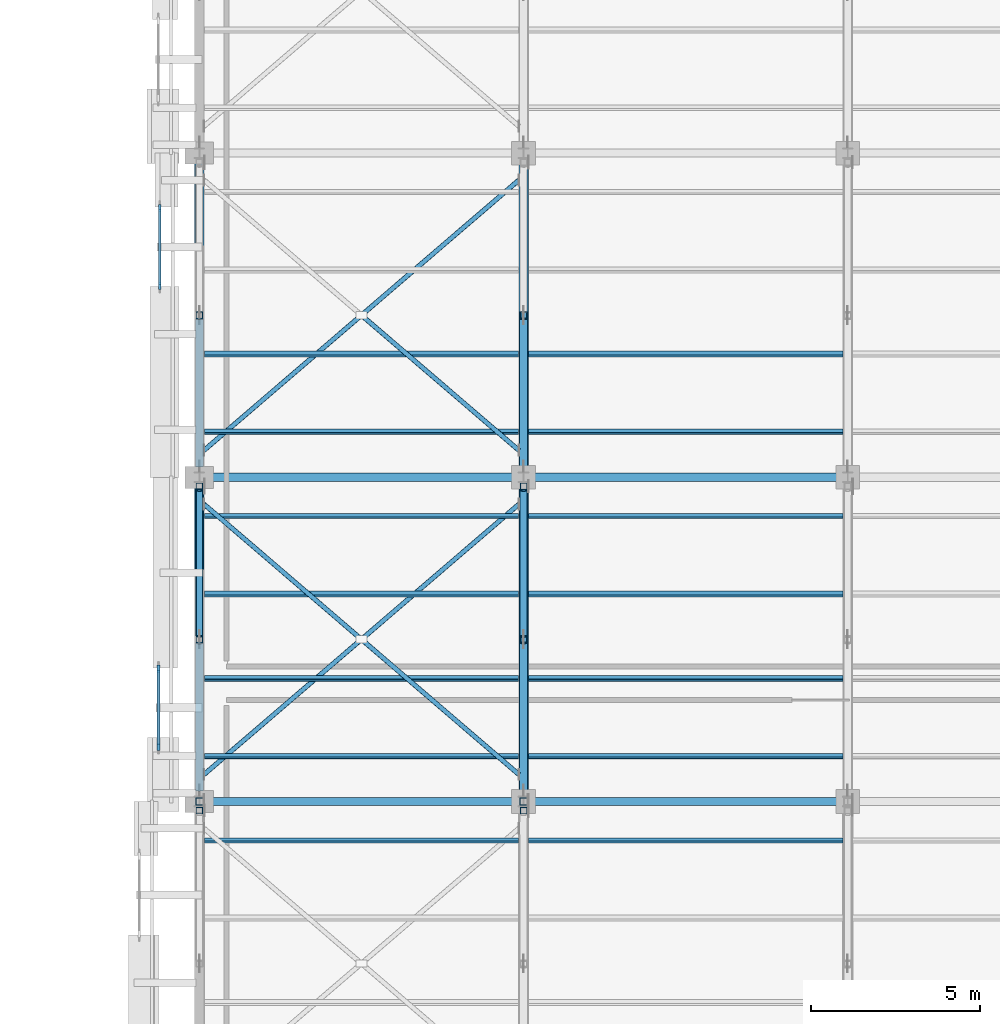
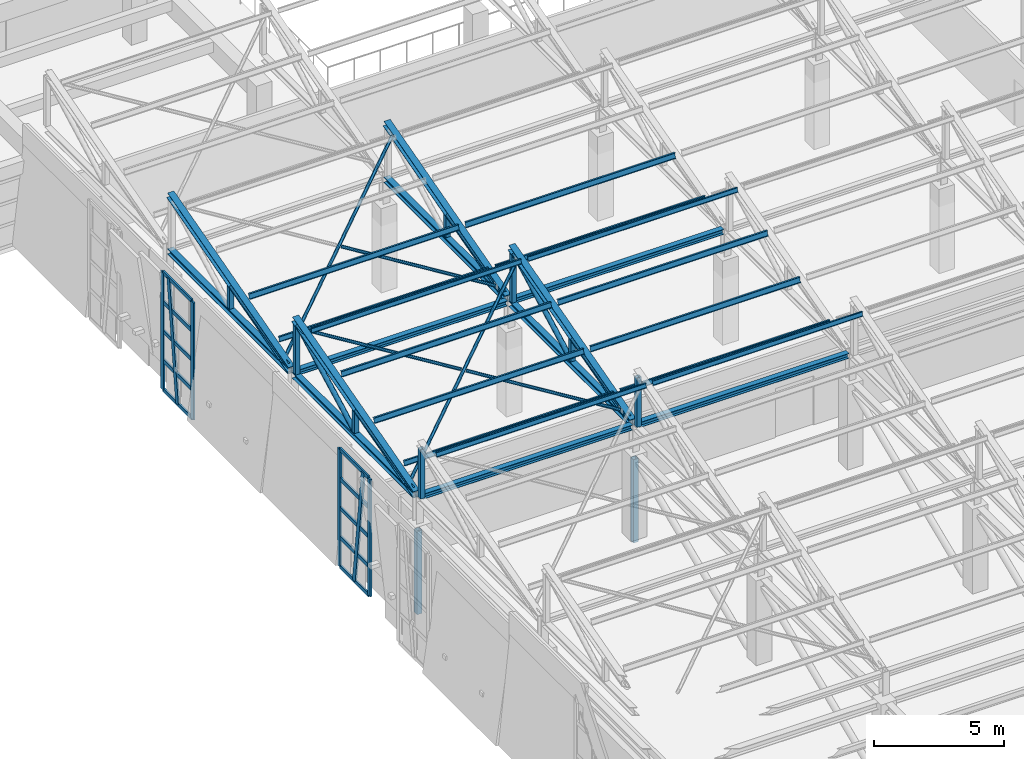
# One storey, part 12 of 71: 59 members, 4 beams, 2 elements without a shape of their own.
"""IFC4 building model written with IfcOpenShell, lengths in metres."""

from ifc_helpers import new_model, si_unit, direction, frame, origin, origin_2d, place, context, subcontext, project, spatial, rectangle, hollow_rectangle, hollow_circle, i_section, extrude, material, layer, layer_set, material_profile, profile_set, type_object, element, aggregate, save


model = new_model("IFC4")

# Units and contexts
model_context = context("Model", 3, precision=1e-05, world=origin(), true_north=direction((0.0, 1.0)))
body_context = subcontext(model_context, "Body", "Model", "MODEL_VIEW")
ifc_project = project(units=[si_unit("LENGTHUNIT", "METRE"), si_unit("AREAUNIT", "SQUARE_METRE"), si_unit("VOLUMEUNIT", "CUBIC_METRE"), si_unit("PLANEANGLEUNIT", "RADIAN"), si_unit("MASSUNIT", "GRAM", prefix="KILO")], contexts=[model_context])

# Site, building, storey
site_placement = place(None, origin())
site = spatial("IfcSite", under=ifc_project, at=site_placement, CompositionType="ELEMENT")
building_placement = place(site_placement, origin())
building = spatial("IfcBuilding", under=site, at=building_placement, Name="Bempovik Park Faculty of Sciences", CompositionType="ELEMENT")
storey_placement = place(building_placement, frame((0.0, 0.0, 14.10009765625)))
storey = spatial("IfcBuildingStorey", under=building, at=storey_placement, Name="L03", CompositionType="ELEMENT", Elevation=14.10009765625)

# Beams
ifc_material_1 = material(Name="Steel S355", Category="steel")
ifc_material_profile_1 = material_profile(ifc_material_1, i_section(OverallWidth=0.239990234375, OverallDepth=0.239990234375, WebThickness=0.010009765625, FlangeThickness=0.01708984375, at=origin_2d()), Name="HEB 240")
ifc_profile_set_1 = profile_set([ifc_material_profile_1], Name="Steel S355")
beam_type = type_object("IfcBeamType", Name="B-042 HEB 240", PredefinedType="BEAM", material=ifc_profile_set_1)
for number, where, z_axis, x_axis, name in (
    (1, (60.14990234375, 39.0, 5.14990234375), (1.0, 0.0, 0.0), (0.0, 1.0, 0.0), "Sawtooth Valley Tie Beam V1-B3 (60.0-69.6)"),
    (2, (69.75, 39.0, 5.14990234375), (1.0, 0.0, 0.0), (0.0, 1.0, 0.0), "Sawtooth Valley Tie Beam V1-B3 (69.6-79.2)"),
    (3, (60.14990234375, 48.60009765625, 5.14990234375), (1.0, 0.0, 0.0), (0.0, 1.0, 0.0), "Sawtooth Valley Tie Beam V1-B4 (60.0-69.6)"),
    (4, (69.75, 48.60009765625, 5.14990234375), (1.0, 0.0, 0.0), (0.0, 1.0, 0.0), "Sawtooth Valley Tie Beam V1-B4 (69.6-79.2)"),
):
    element("IfcBeam", number, at=place(storey_placement, frame(where, z_axis=z_axis, x_axis=x_axis)), inside=storey, type_object=beam_type, Name=name, PredefinedType="BEAM", context=body_context, shape_type="SweptSolid", body=[
        extrude(i_section(OverallWidth=0.239990234375, OverallDepth=0.239990234375, WebThickness=0.010009765625, FlangeThickness=0.01708984375, at=origin_2d()), origin(), (0.0, 0.0, 1.0), 9.300048828125),
    ])

# Members
ifc_material_profile_2 = material_profile(ifc_material_1, i_section(OverallWidth=0.110107421875, OverallDepth=0.219970703125, WebThickness=0.005859375, FlangeThickness=0.00927734375, at=origin_2d()), Name="IPE 220")
ifc_profile_set_2 = profile_set([ifc_material_profile_2], Name="Steel S355")
member_type_1 = type_object("IfcMemberType", Name="M-18 IPE 220", PredefinedType="PURLIN", material=ifc_profile_set_2)
member_1_placement = place(storey_placement, frame((60.14599609375, 40.343994140625, 5.847412109375), z_axis=(1.0, 0.0, 0.0), x_axis=(0.0, 0.965925826289, -0.258819045103)))
element("IfcMember", 5, at=member_1_placement, inside=storey, type_object=member_type_1, Name="Sawtooth Roof Purlin V1-B3 (60.0-69.6) #1", PredefinedType="PURLIN", context=body_context, shape_type="SweptSolid", body=[
    extrude(i_section(OverallWidth=0.110107421875, OverallDepth=0.219970703125, WebThickness=0.005859375, FlangeThickness=0.00927734375, at=origin_2d()), origin(), (0.0, 0.0, 1.0), 9.30810546875),
])
member_2_placement = place(storey_placement, frame((69.74609375, 40.343994140625, 5.847412109375), z_axis=(1.0, 0.0, 0.0), x_axis=(0.0, 0.965925826289, -0.258819045103)))
element("IfcMember", 6, at=member_2_placement, inside=storey, type_object=member_type_1, Name="Sawtooth Roof Purlin V1-B3 (69.6-79.2) #1", PredefinedType="PURLIN", context=body_context, shape_type="SweptSolid", body=[
    extrude(i_section(OverallWidth=0.110107421875, OverallDepth=0.219970703125, WebThickness=0.005859375, FlangeThickness=0.00927734375, at=origin_2d()), origin(), (0.0, 0.0, 1.0), 9.307861328125),
])
member_3_placement = place(storey_placement, frame((60.14599609375, 49.944091796875, 5.847412109375), z_axis=(1.0, 0.0, 0.0), x_axis=(0.0, 0.965925826289, -0.258819045103)))
element("IfcMember", 7, at=member_3_placement, inside=storey, type_object=member_type_1, Name="Sawtooth Roof Purlin V1-B4 (60.0-69.6) #1", PredefinedType="PURLIN", context=body_context, shape_type="SweptSolid", body=[
    extrude(i_section(OverallWidth=0.110107421875, OverallDepth=0.219970703125, WebThickness=0.005859375, FlangeThickness=0.00927734375, at=origin_2d()), origin(), (0.0, 0.0, 1.0), 9.30810546875),
])
member_4_placement = place(storey_placement, frame((69.74609375, 49.944091796875, 5.847412109375), z_axis=(1.0, 0.0, 0.0), x_axis=(0.0, 0.965925826289, -0.258819045103)))
element("IfcMember", 8, at=member_4_placement, inside=storey, type_object=member_type_1, Name="Sawtooth Roof Purlin V1-B4 (69.6-79.2) #1", PredefinedType="PURLIN", context=body_context, shape_type="SweptSolid", body=[
    extrude(i_section(OverallWidth=0.110107421875, OverallDepth=0.219970703125, WebThickness=0.005859375, FlangeThickness=0.00927734375, at=origin_2d()), origin(), (0.0, 0.0, 1.0), 9.307861328125),
])
ifc_material_profile_3 = material_profile(ifc_material_1, hollow_circle(Radius=0.109619140625, WallThickness=0.010009765625, at=origin_2d()), Name="CHS 219.1x10")
ifc_profile_set_3 = profile_set([ifc_material_profile_3], Name="Steel S355")
member_type_2 = type_object("IfcMemberType", Name="M-22 CHS 219.1x10", PredefinedType="BRACE", material=ifc_profile_set_3)
for number, where, z_axis, x_axis, name in (
    (9, (60.0, 43.905029296875, 5.285888671875), (0.0, 0.882187464719, 0.470898372361), (-1.0, 0.0, 0.0), "Sawtooth Web Diagonal 2 V1-B3 (60.0)"),
    (10, (69.60009765625, 43.905029296875, 5.285888671875), (0.0, 0.882187464719, 0.470898372361), (-1.0, 0.0, 0.0), "Sawtooth Web Diagonal 2 V1-B3 (69.6)"),
):
    element("IfcMember", number, at=place(storey_placement, frame(where, z_axis=z_axis, x_axis=x_axis)), inside=storey, type_object=member_type_2, Name=name, PredefinedType="BRACE", context=body_context, shape_type="SweptSolid", body=[
        extrude(hollow_circle(Radius=0.109619140625, WallThickness=0.010009765625, at=origin_2d()), origin(), (0.0, 0.0, 1.0), 4.902587890625),
    ])
ifc_material_profile_4 = material_profile(ifc_material_1, i_section(OverallWidth=0.280029296875, OverallDepth=0.280029296875, WebThickness=0.010498046875, FlangeThickness=0.01806640625, at=origin_2d()), Name="HEB 280")
ifc_profile_set_4 = profile_set([ifc_material_profile_4], Name="Steel S355")
member_type_3 = type_object("IfcMemberType", Name="M-26 HEB 280", PredefinedType="CHORD", material=ifc_profile_set_4)
for number, where, z_axis, x_axis, name in (
    (11, (60.0, 39.156005859375, 5.212158203125), (0.0, 0.963725210394, 0.266896457173), (-1.0, 0.0, 0.0), "Sawtooth Top Rafter Chord V1-B3 (60.0)"),
    (12, (69.60009765625, 39.156005859375, 5.212158203125), (0.0, 0.963725210394, 0.266896457173), (-1.0, 0.0, 0.0), "Sawtooth Top Rafter Chord V1-B3 (69.6)"),
):
    element("IfcMember", number, at=place(storey_placement, frame(where, z_axis=z_axis, x_axis=x_axis)), inside=storey, type_object=member_type_3, Name=name, PredefinedType="CHORD", context=body_context, shape_type="SweptSolid", body=[
        extrude(i_section(OverallWidth=0.280029296875, OverallDepth=0.280029296875, WebThickness=0.010498046875, FlangeThickness=0.01806640625, at=origin_2d()), origin(), (0.0, 0.0, 1.0), 9.6376953125),
    ])
for number, where, z_axis, x_axis, name in (
    (13, (60.0, 48.756103515625, 5.212158203125), (0.0, 0.963723405845, 0.266902973056), (-1.0, 0.0, 0.0), "Sawtooth Top Rafter Chord V1-B4 (60.0)"),
    (14, (69.60009765625, 48.756103515625, 5.212158203125), (0.0, 0.963723405845, 0.266902973056), (-1.0, 0.0, 0.0), "Sawtooth Top Rafter Chord V1-B4 (69.6)"),
):
    element("IfcMember", number, at=place(storey_placement, frame(where, z_axis=z_axis, x_axis=x_axis)), inside=storey, type_object=member_type_3, Name=name, PredefinedType="CHORD", context=body_context, shape_type="SweptSolid", body=[
        extrude(i_section(OverallWidth=0.280029296875, OverallDepth=0.280029296875, WebThickness=0.010498046875, FlangeThickness=0.01806640625, at=origin_2d()), origin(), (0.0, 0.0, 1.0), 9.637451171875),
    ])
ifc_material_profile_5 = material_profile(ifc_material_1, hollow_rectangle(XDim=0.219970703125, YDim=0.219970703125, WallThickness=0.010009765625, at=origin_2d()), Name="SHS 220x220x10")
ifc_profile_set_5 = profile_set([ifc_material_profile_5], Name="Steel S355")
member_type_4 = type_object("IfcMemberType", Name="M-32 SHS 220x220x10", PredefinedType="POST", material=ifc_profile_set_5)
for number, where, z_axis, x_axis, name in (
    (15, (60.0, 39.0, -0.294189453125), (0.0, 0.0, 1.0), (1.0, 0.0, 0.0), "Cantilever Truss 1 L03 Post 5"),
    (16, (69.60009765625, 39.0, -0.294189453125), (0.0, 0.0, 1.0), (1.0, 0.0, 0.0), "Cantilever Truss 2 L03 Post 5"),
):
    element("IfcMember", number, at=place(storey_placement, frame(where, z_axis=z_axis, x_axis=x_axis)), inside=storey, type_object=member_type_4, Name=name, PredefinedType="POST", context=body_context, shape_type="SweptSolid", body=[
        extrude(hollow_rectangle(XDim=0.219970703125, YDim=0.219970703125, WallThickness=0.010009765625, at=origin_2d()), origin(), (0.0, 0.0, 1.0), 3.908203125),
    ])
ifc_material_profile_6 = material_profile(ifc_material_1, hollow_rectangle(XDim=0.199951171875, YDim=0.199951171875, WallThickness=0.010009765625, at=origin_2d()), Name="SHS 200x200x10")
ifc_profile_set_6 = profile_set([ifc_material_profile_6], Name="Steel S355")
member_type_5 = type_object("IfcMemberType", Name="M-44 SHS 200x200x10", PredefinedType="POST", material=ifc_profile_set_6)
for number, where, z_axis, x_axis, name in (
    (17, (60.0, 38.72998046875, 5.285888671875), (0.0, 0.0, 1.0), (1.0, 0.0, 0.0), "Sawtooth North-Light Post V1-B2 (60.0)"),
    (18, (69.60009765625, 38.72998046875, 5.285888671875), (0.0, 0.0, 1.0), (1.0, 0.0, 0.0), "Sawtooth North-Light Post V1-B2 (69.6)"),
    (19, (60.0, 48.330078125, 5.285888671875), (0.0, 0.0, 1.0), (1.0, 0.0, 0.0), "Sawtooth North-Light Post V1-B3 (60.0)"),
):
    element("IfcMember", number, at=place(storey_placement, frame(where, z_axis=z_axis, x_axis=x_axis)), inside=storey, type_object=member_type_5, Name=name, PredefinedType="POST", context=body_context, shape_type="SweptSolid", body=[
        extrude(hollow_rectangle(XDim=0.199951171875, YDim=0.199951171875, WallThickness=0.010009765625, at=origin_2d()), origin(), (0.0, 0.0, 1.0), 2.30859375),
    ])
member_5_placement = place(storey_placement, frame((60.0, 43.800048828125, 5.285888671875), z_axis=(0.0, 0.0, 1.0), x_axis=(1.0, 0.0, 0.0)))
element("IfcMember", 20, at=member_5_placement, inside=storey, type_object=member_type_5, Name="Sawtooth Mid Post V1-B3 (60.0)", PredefinedType="POST", context=body_context, shape_type="SweptSolid", body=[
    extrude(hollow_rectangle(XDim=0.199951171875, YDim=0.199951171875, WallThickness=0.010009765625, at=origin_2d()), origin(), (0.0, 0.0, 1.0), 1.052490234375),
])
member_6_placement = place(storey_placement, frame((69.60009765625, 48.330078125, 5.285888671875), z_axis=(0.0, 0.0, 1.0), x_axis=(1.0, 0.0, 0.0)))
element("IfcMember", 21, at=member_6_placement, inside=storey, type_object=member_type_5, Name="Sawtooth North-Light Post V1-B3 (69.6)", PredefinedType="POST", context=body_context, shape_type="SweptSolid", body=[
    extrude(hollow_rectangle(XDim=0.199951171875, YDim=0.199951171875, WallThickness=0.010009765625, at=origin_2d()), origin(), (0.0, 0.0, 1.0), 2.30859375),
])
for number, where, z_axis, x_axis, name in (
    (22, (69.60009765625, 43.800048828125, 5.285888671875), (0.0, 0.0, 1.0), (1.0, 0.0, 0.0), "Sawtooth Mid Post V1-B3 (69.6)"),
    (23, (60.0, 53.39990234375, 5.285888671875), (0.0, 0.0, 1.0), (1.0, 0.0, 0.0), "Sawtooth Mid Post V1-B4 (60.0)"),
    (24, (69.60009765625, 53.39990234375, 5.285888671875), (0.0, 0.0, 1.0), (1.0, 0.0, 0.0), "Sawtooth Mid Post V1-B4 (69.6)"),
):
    element("IfcMember", number, at=place(storey_placement, frame(where, z_axis=z_axis, x_axis=x_axis)), inside=storey, type_object=member_type_5, Name=name, PredefinedType="POST", context=body_context, shape_type="SweptSolid", body=[
        extrude(hollow_rectangle(XDim=0.199951171875, YDim=0.199951171875, WallThickness=0.010009765625, at=origin_2d()), origin(), (0.0, 0.0, 1.0), 1.052490234375),
    ])
ifc_material_profile_7 = material_profile(ifc_material_1, i_section(OverallWidth=0.10009765625, OverallDepth=0.199951171875, WebThickness=0.005615234375, FlangeThickness=0.008544921875, at=origin_2d()), Name="IPE 200")
ifc_profile_set_7 = profile_set([ifc_material_profile_7], Name="Steel S355")
member_type_6 = type_object("IfcMemberType", Name="M-48 IPE 200", PredefinedType="PURLIN", material=ifc_profile_set_7)
member_7_placement = place(storey_placement, frame((60.14599609375, 37.847900390625, 7.7607421875), z_axis=(1.0, 0.0, 0.0), x_axis=(0.0, 0.965925826289, -0.258819045103)))
element("IfcMember", 25, at=member_7_placement, inside=storey, type_object=member_type_6, Name="Sawtooth Roof Purlin V1-B2 (60.0-69.6) #4", PredefinedType="PURLIN", context=body_context, shape_type="SweptSolid", body=[
    extrude(i_section(OverallWidth=0.10009765625, OverallDepth=0.199951171875, WebThickness=0.005615234375, FlangeThickness=0.008544921875, at=origin_2d()), origin(), (0.0, 0.0, 1.0), 9.30810546875),
])
member_8_placement = place(storey_placement, frame((69.74609375, 37.847900390625, 7.7607421875), z_axis=(1.0, 0.0, 0.0), x_axis=(0.0, 0.965925826289, -0.258819045103)))
element("IfcMember", 26, at=member_8_placement, inside=storey, type_object=member_type_6, Name="Sawtooth Roof Purlin V1-B2 (69.6-79.2) #4", PredefinedType="PURLIN", context=body_context, shape_type="SweptSolid", body=[
    extrude(i_section(OverallWidth=0.10009765625, OverallDepth=0.199951171875, WebThickness=0.005615234375, FlangeThickness=0.008544921875, at=origin_2d()), origin(), (0.0, 0.0, 1.0), 9.307861328125),
])
member_9_placement = place(storey_placement, frame((60.14599609375, 47.447998046875, 7.7607421875), z_axis=(1.0, 0.0, 0.0), x_axis=(0.0, 0.965925826289, -0.258819045103)))
element("IfcMember", 27, at=member_9_placement, inside=storey, type_object=member_type_6, Name="Sawtooth Roof Purlin V1-B3 (60.0-69.6) #4", PredefinedType="PURLIN", context=body_context, shape_type="SweptSolid", body=[
    extrude(i_section(OverallWidth=0.10009765625, OverallDepth=0.199951171875, WebThickness=0.005615234375, FlangeThickness=0.008544921875, at=origin_2d()), origin(), (0.0, 0.0, 1.0), 9.30810546875),
])
member_10_placement = place(storey_placement, frame((69.74609375, 47.447998046875, 7.7607421875), z_axis=(1.0, 0.0, 0.0), x_axis=(0.0, 0.965925826289, -0.258819045103)))
element("IfcMember", 28, at=member_10_placement, inside=storey, type_object=member_type_6, Name="Sawtooth Roof Purlin V1-B3 (69.6-79.2) #4", PredefinedType="PURLIN", context=body_context, shape_type="SweptSolid", body=[
    extrude(i_section(OverallWidth=0.10009765625, OverallDepth=0.199951171875, WebThickness=0.005615234375, FlangeThickness=0.008544921875, at=origin_2d()), origin(), (0.0, 0.0, 1.0), 9.307861328125),
])
ifc_material_profile_8 = material_profile(ifc_material_1, i_section(OverallWidth=0.260009765625, OverallDepth=0.260009765625, WebThickness=0.010009765625, FlangeThickness=0.017578125, at=origin_2d()), Name="HEB 260")
ifc_profile_set_8 = profile_set([ifc_material_profile_8], Name="Steel S355")
member_type_7 = type_object("IfcMemberType", Name="M-58 HEB 260", PredefinedType="CHORD", material=ifc_profile_set_8)
for number, where, z_axis, x_axis, name in (
    (29, (60.0, 39.156005859375, 5.14990234375), (0.0, 1.0, 0.0), (-1.0, 0.0, 0.0), "Sawtooth Bottom Chord V1-B3 (60.0)"),
    (30, (69.60009765625, 39.156005859375, 5.14990234375), (0.0, 1.0, 0.0), (-1.0, 0.0, 0.0), "Sawtooth Bottom Chord V1-B3 (69.6)"),
):
    element("IfcMember", number, at=place(storey_placement, frame(where, z_axis=z_axis, x_axis=x_axis)), inside=storey, type_object=member_type_7, Name=name, PredefinedType="CHORD", context=body_context, shape_type="SweptSolid", body=[
        extrude(i_section(OverallWidth=0.260009765625, OverallDepth=0.260009765625, WebThickness=0.010009765625, FlangeThickness=0.017578125, at=origin_2d()), origin(), (0.0, 0.0, 1.0), 9.2880859375),
    ])
for number, where, z_axis, x_axis, name in (
    (31, (60.0, 48.756103515625, 5.14990234375), (0.0, 1.0, 0.0), (-1.0, 0.0, 0.0), "Sawtooth Bottom Chord V1-B4 (60.0)"),
    (32, (69.60009765625, 48.756103515625, 5.14990234375), (0.0, 1.0, 0.0), (-1.0, 0.0, 0.0), "Sawtooth Bottom Chord V1-B4 (69.6)"),
):
    element("IfcMember", number, at=place(storey_placement, frame(where, z_axis=z_axis, x_axis=x_axis)), inside=storey, type_object=member_type_7, Name=name, PredefinedType="CHORD", context=body_context, shape_type="SweptSolid", body=[
        extrude(i_section(OverallWidth=0.260009765625, OverallDepth=0.260009765625, WebThickness=0.010009765625, FlangeThickness=0.017578125, at=origin_2d()), origin(), (0.0, 0.0, 1.0), 9.287841796875),
    ])
ifc_material_profile_9 = material_profile(ifc_material_1, hollow_circle(Radius=0.122314453125, WallThickness=0.010009765625, at=origin_2d()), Name="CHS 244.5x10")
ifc_profile_set_9 = profile_set([ifc_material_profile_9], Name="Steel S355")
member_type_8 = type_object("IfcMemberType", Name="M-82 CHS 244.5x10", PredefinedType="BRACE", material=ifc_profile_set_9)
for number, where, z_axis, x_axis, name in (
    (33, (60.0, 39.330078125, 5.285888671875), (0.0, 0.972139485331, 0.234403116576), (-1.0, 0.0, 0.0), "Sawtooth Web Diagonal 1 V1-B3 (60.0)"),
    (34, (69.60009765625, 39.330078125, 5.285888671875), (0.0, 0.972139485331, 0.234403116576), (-1.0, 0.0, 0.0), "Sawtooth Web Diagonal 1 V1-B3 (69.6)"),
    (35, (60.0, 48.929931640625, 5.285888671875), (0.0, 0.972139485331, 0.234403116576), (-1.0, 0.0, 0.0), "Sawtooth Web Diagonal 1 V1-B4 (60.0)"),
    (36, (69.60009765625, 48.929931640625, 5.285888671875), (0.0, 0.972139485331, 0.234403116576), (-1.0, 0.0, 0.0), "Sawtooth Web Diagonal 1 V1-B4 (69.6)"),
):
    element("IfcMember", number, at=place(storey_placement, frame(where, z_axis=z_axis, x_axis=x_axis)), inside=storey, type_object=member_type_8, Name=name, PredefinedType="BRACE", context=body_context, shape_type="SweptSolid", body=[
        extrude(hollow_circle(Radius=0.122314453125, WallThickness=0.010009765625, at=origin_2d()), origin(), (0.0, 0.0, 1.0), 4.489990234375),
    ])
ifc_material_profile_10 = material_profile(ifc_material_1, hollow_circle(Radius=0.06982421875, WallThickness=0.00634765625, at=origin_2d()), Name="CHS 139.7x6.3")
ifc_profile_set_10 = profile_set([ifc_material_profile_10], Name="Steel S355")
member_type_9 = type_object("IfcMemberType", Name="M-83 CHS 139.7x6.3", PredefinedType="BRACE", material=ifc_profile_set_10)
member_11_placement = place(storey_placement, frame((60.139892578125, 39.800048828125, 5.426513671875), z_axis=(0.747498624674, 0.641625014625, 0.171939369306), x_axis=(-0.651324847863, 0.758799013281, 0.0)))
element("IfcMember", 37, at=member_11_placement, inside=storey, type_object=member_type_9, Name="Sawtooth Continuous Roof X-Brace V1-B3 (60.0-69.6)", PredefinedType="BRACE", context=body_context, shape_type="SweptSolid", body=[
    extrude(hollow_circle(Radius=0.06982421875, WallThickness=0.00634765625, at=origin_2d()), origin(), (0.0, 0.0, 1.0), 12.46826171875),
])
member_12_placement = place(storey_placement, frame((60.139892578125, 47.800048828125, 7.5703125), z_axis=(0.747490158812, -0.641636778891, -0.171932272867), x_axis=(0.651335971051, 0.758789465408, 0.0)))
element("IfcMember", 38, at=member_12_placement, inside=storey, type_object=member_type_9, Name="Sawtooth Split X-Brace Half A V1-B3 (60.0-69.6)", PredefinedType="BRACE", context=body_context, shape_type="SweptSolid", body=[
    extrude(hollow_circle(Radius=0.06982421875, WallThickness=0.00634765625, at=origin_2d()), origin(), (0.0, 0.0, 1.0), 6.144287109375),
])
member_13_placement = place(storey_placement, frame((64.8671875, 43.7421875, 6.48291015625), z_axis=(0.747509216421, -0.641613401953, -0.17193665636), x_axis=(0.65131274657, 0.758809400413, 0.0)))
element("IfcMember", 39, at=member_13_placement, inside=storey, type_object=member_type_9, Name="Sawtooth Split X-Brace Half B V1-B3 (60.0-69.6)", PredefinedType="BRACE", context=body_context, shape_type="SweptSolid", body=[
    extrude(hollow_circle(Radius=0.06982421875, WallThickness=0.00634765625, at=origin_2d()), origin(), (0.0, 0.0, 1.0), 6.14404296875),
])
member_14_placement = place(storey_placement, frame((60.139892578125, 49.39990234375, 5.426513671875), z_axis=(0.747498624674, 0.641625014625, 0.171939369306), x_axis=(-0.651324847863, 0.758799013281, 0.0)))
element("IfcMember", 40, at=member_14_placement, inside=storey, type_object=member_type_9, Name="Sawtooth Continuous Roof X-Brace V1-B4 (60.0-69.6)", PredefinedType="BRACE", context=body_context, shape_type="SweptSolid", body=[
    extrude(hollow_circle(Radius=0.06982421875, WallThickness=0.00634765625, at=origin_2d()), origin(), (0.0, 0.0, 1.0), 12.46826171875),
])
member_15_placement = place(storey_placement, frame((64.8671875, 53.34228515625, 6.48291015625), z_axis=(0.747490158812, -0.641636778891, -0.171932272867), x_axis=(0.651335971051, 0.758789465408, 0.0)))
element("IfcMember", 41, at=member_15_placement, inside=storey, type_object=member_type_9, Name="Sawtooth Split X-Brace Half B V1-B4 (60.0-69.6)", PredefinedType="BRACE", context=body_context, shape_type="SweptSolid", body=[
    extrude(hollow_circle(Radius=0.06982421875, WallThickness=0.00634765625, at=origin_2d()), origin(), (0.0, 0.0, 1.0), 6.144287109375),
])
ifc_material_profile_11 = material_profile(ifc_material_1, i_section(OverallWidth=0.1201171875, OverallDepth=0.239990234375, WebThickness=0.006103515625, FlangeThickness=0.009765625, at=origin_2d()), Name="IPE 240")
ifc_profile_set_11 = profile_set([ifc_material_profile_11], Name="Steel S355")
member_type_10 = type_object("IfcMemberType", Name="M-86 IPE 240", PredefinedType="PURLIN", material=ifc_profile_set_11)
for number, where, z_axis, x_axis, name in (
    (42, (60.14599609375, 42.64794921875, 6.45458984375), (1.0, 0.0, 0.0), (0.0, 0.965925826289, -0.258819045103), "Sawtooth Roof Purlin V1-B3 (60.0-69.6) #2"),
    (43, (60.14599609375, 45.14404296875, 7.12353515625), (1.0, 0.0, 0.0), (0.0, 0.965925826289, -0.258819045103), "Sawtooth Roof Purlin V1-B3 (60.0-69.6) #3"),
):
    element("IfcMember", number, at=place(storey_placement, frame(where, z_axis=z_axis, x_axis=x_axis)), inside=storey, type_object=member_type_10, Name=name, PredefinedType="PURLIN", context=body_context, shape_type="SweptSolid", body=[
        extrude(i_section(OverallWidth=0.1201171875, OverallDepth=0.239990234375, WebThickness=0.006103515625, FlangeThickness=0.009765625, at=origin_2d()), origin(), (0.0, 0.0, 1.0), 9.30810546875),
    ])
for number, where, z_axis, x_axis, name in (
    (44, (69.74609375, 42.64794921875, 6.45458984375), (1.0, 0.0, 0.0), (0.0, 0.965925826289, -0.258819045103), "Sawtooth Roof Purlin V1-B3 (69.6-79.2) #2"),
    (45, (69.74609375, 45.14404296875, 7.12353515625), (1.0, 0.0, 0.0), (0.0, 0.965925826289, -0.258819045103), "Sawtooth Roof Purlin V1-B3 (69.6-79.2) #3"),
):
    element("IfcMember", number, at=place(storey_placement, frame(where, z_axis=z_axis, x_axis=x_axis)), inside=storey, type_object=member_type_10, Name=name, PredefinedType="PURLIN", context=body_context, shape_type="SweptSolid", body=[
        extrude(i_section(OverallWidth=0.1201171875, OverallDepth=0.239990234375, WebThickness=0.006103515625, FlangeThickness=0.009765625, at=origin_2d()), origin(), (0.0, 0.0, 1.0), 9.307861328125),
    ])
member_16_placement = place(storey_placement, frame((60.14599609375, 52.248046875, 6.45458984375), z_axis=(1.0, 0.0, 0.0), x_axis=(0.0, 0.965925826289, -0.258819045103)))
element("IfcMember", 46, at=member_16_placement, inside=storey, type_object=member_type_10, Name="Sawtooth Roof Purlin V1-B4 (60.0-69.6) #2", PredefinedType="PURLIN", context=body_context, shape_type="SweptSolid", body=[
    extrude(i_section(OverallWidth=0.1201171875, OverallDepth=0.239990234375, WebThickness=0.006103515625, FlangeThickness=0.009765625, at=origin_2d()), origin(), (0.0, 0.0, 1.0), 9.30810546875),
])
member_17_placement = place(storey_placement, frame((69.74609375, 52.248046875, 6.45458984375), z_axis=(1.0, 0.0, 0.0), x_axis=(0.0, 0.965925826289, -0.258819045103)))
element("IfcMember", 47, at=member_17_placement, inside=storey, type_object=member_type_10, Name="Sawtooth Roof Purlin V1-B4 (69.6-79.2) #2", PredefinedType="PURLIN", context=body_context, shape_type="SweptSolid", body=[
    extrude(i_section(OverallWidth=0.1201171875, OverallDepth=0.239990234375, WebThickness=0.006103515625, FlangeThickness=0.009765625, at=origin_2d()), origin(), (0.0, 0.0, 1.0), 9.307861328125),
])

# Curtain wall, members
ifc_material_2 = material(Name="Tempered laminated low-E glass", Category="glass")
ifc_layer = layer(ifc_material_2, 0.159912109375)
ifc_layer_set = layer_set([ifc_layer], Name="Tempered laminated low-E glass")
curtain_wall_type = type_object("IfcCurtainWallType", Name="CW-33 Curtain 2400x4000", PredefinedType="USERDEFINED", material=ifc_layer_set)
curtain_wall_1_placement = place(storey_placement, origin())
curtain_wall_1 = element("IfcCurtainWall", 48, at=curtain_wall_1_placement, inside=storey, type_object=curtain_wall_type, Name="L03 Crystal Slantwise Light Fold (60.0,39.0)", ObjectType="UNITISED CURTAIN WALL", PredefinedType="USERDEFINED")
ifc_material_3 = material(Name="Anodised architectural bronze", Category="aluminium")
ifc_material_profile_12 = material_profile(ifc_material_3, rectangle(XDim=0.080078125, YDim=0.219970703125, at=origin_2d()), Name="ALU-M 80x220")
ifc_profile_set_12 = profile_set([ifc_material_profile_12], Name="Anodised architectural bronze")
member_type_11 = type_object("IfcMemberType", Name="ML-29 ALU-M 80x220", PredefinedType="MULLION", material=ifc_profile_set_12)
member_18_placement = place(storey_placement, frame((58.78857421875, 40.625, -0.0400390625), z_axis=(0.0, 0.0, 1.0), x_axis=(1.0, 0.0, 0.0)))
member_18 = element("IfcMember", 49, at=member_18_placement, type_object=member_type_11, Name="CW-FOLD-L03-600-390 Mullion 0", PredefinedType="MULLION", context=body_context, shape_type="SweptSolid", body=[
    extrude(rectangle(XDim=0.080078125, YDim=0.219970703125, at=origin_2d()), origin(), (0.0, 0.0, 1.0), 5.489990234375),
])
member_19_placement = place(storey_placement, frame((58.78857421875, 41.77490234375, -0.0400390625), z_axis=(0.0, -0.122910283031, 0.992417786179), x_axis=(1.0, 0.0, 0.0)))
member_19 = element("IfcMember", 50, at=member_19_placement, type_object=member_type_11, Name="CW-FOLD-L03-600-390 Mullion 1", PredefinedType="MULLION", context=body_context, shape_type="SweptSolid", body=[
    extrude(rectangle(XDim=0.080078125, YDim=0.219970703125, at=origin_2d()), origin(), (0.0, 0.0, 1.0), 5.531982421875),
])
member_20_placement = place(storey_placement, frame((58.78857421875, 42.925048828125, -0.0400390625), z_axis=(0.0, 0.0, 1.0), x_axis=(1.0, 0.0, 0.0)))
member_20 = element("IfcMember", 51, at=member_20_placement, type_object=member_type_11, Name="CW-FOLD-L03-600-390 Mullion 2", PredefinedType="MULLION", context=body_context, shape_type="SweptSolid", body=[
    extrude(rectangle(XDim=0.080078125, YDim=0.219970703125, at=origin_2d()), origin(), (0.0, 0.0, 1.0), 5.489990234375),
])

curtain_wall_2_placement = place(storey_placement, origin())
curtain_wall_2 = element("IfcCurtainWall", 52, at=curtain_wall_2_placement, inside=storey, type_object=curtain_wall_type, Name="L03 Crystal Slantwise Light Fold (60.0,48.6)", ObjectType="UNITISED CURTAIN WALL", PredefinedType="USERDEFINED")
member_21_placement = place(storey_placement, frame((58.826416015625, 54.27490234375, -0.0400390625), z_axis=(0.0, 0.0, 1.0), x_axis=(1.0, 0.0, 0.0)))
member_21 = element("IfcMember", 53, at=member_21_placement, type_object=member_type_11, Name="CW-FOLD-L03-600-486 Mullion 0", PredefinedType="MULLION", context=body_context, shape_type="SweptSolid", body=[
    extrude(rectangle(XDim=0.080078125, YDim=0.219970703125, at=origin_2d()), origin(), (0.0, 0.0, 1.0), 5.489990234375),
])
member_22_placement = place(storey_placement, frame((58.826416015625, 55.425048828125, -0.0400390625), z_axis=(0.0, 0.122910283031, 0.992417786179), x_axis=(-1.0, 0.0, 0.0)))
member_22 = element("IfcMember", 54, at=member_22_placement, type_object=member_type_11, Name="CW-FOLD-L03-600-486 Mullion 1", PredefinedType="MULLION", context=body_context, shape_type="SweptSolid", body=[
    extrude(rectangle(XDim=0.080078125, YDim=0.219970703125, at=origin_2d()), origin(), (0.0, 0.0, 1.0), 5.531982421875),
])
member_23_placement = place(storey_placement, frame((58.826416015625, 56.574951171875, -0.0400390625), z_axis=(0.0, 0.0, 1.0), x_axis=(1.0, 0.0, 0.0)))
member_23 = element("IfcMember", 55, at=member_23_placement, type_object=member_type_11, Name="CW-FOLD-L03-600-486 Mullion 2", PredefinedType="MULLION", context=body_context, shape_type="SweptSolid", body=[
    extrude(rectangle(XDim=0.080078125, YDim=0.219970703125, at=origin_2d()), origin(), (0.0, 0.0, 1.0), 5.489990234375),
])

# Member
ifc_material_profile_13 = material_profile(ifc_material_3, rectangle(XDim=0.080078125, YDim=0.179931640625, at=origin_2d()), Name="ALU-T 80x180")
ifc_profile_set_13 = profile_set([ifc_material_profile_13], Name="Anodised architectural bronze")
member_type_12 = type_object("IfcMemberType", Name="TR-29 ALU-T 80x180", PredefinedType="USERDEFINED", material=ifc_profile_set_13)
member_24_placement = place(storey_placement, frame((58.78857421875, 40.6650390625, -0.0400390625), z_axis=(0.0, 1.0, 0.0), x_axis=(-1.0, 0.0, 0.0)))
member_24 = element("IfcMember", 56, at=member_24_placement, type_object=member_type_12, Name="CW-FOLD-L03-600-390 Transom 0", ObjectType="TRANSOM", PredefinedType="USERDEFINED", context=body_context, shape_type="SweptSolid", body=[
    extrude(rectangle(XDim=0.080078125, YDim=0.179931640625, at=origin_2d()), origin(), (0.0, 0.0, 1.0), 2.219970703125),
])

member_25_placement = place(storey_placement, frame((58.78857421875, 40.6650390625, 1.33251953125), z_axis=(0.0, 1.0, 0.0), x_axis=(-1.0, 0.0, 0.0)))
member_25 = element("IfcMember", 57, at=member_25_placement, type_object=member_type_12, Name="CW-FOLD-L03-600-390 Transom 1", ObjectType="TRANSOM", PredefinedType="USERDEFINED", context=body_context, shape_type="SweptSolid", body=[
    extrude(rectangle(XDim=0.080078125, YDim=0.179931640625, at=origin_2d()), origin(), (0.0, 0.0, 1.0), 2.219970703125),
])

member_26_placement = place(storey_placement, frame((58.78857421875, 40.6650390625, 2.704833984375), z_axis=(0.0, 1.0, 0.0), x_axis=(-1.0, 0.0, 0.0)))
member_26 = element("IfcMember", 58, at=member_26_placement, type_object=member_type_12, Name="CW-FOLD-L03-600-390 Transom 2", ObjectType="TRANSOM", PredefinedType="USERDEFINED", context=body_context, shape_type="SweptSolid", body=[
    extrude(rectangle(XDim=0.080078125, YDim=0.179931640625, at=origin_2d()), origin(), (0.0, 0.0, 1.0), 2.219970703125),
])

member_27_placement = place(storey_placement, frame((58.78857421875, 40.6650390625, 4.077392578125), z_axis=(0.0, 1.0, 0.0), x_axis=(-1.0, 0.0, 0.0)))
member_27 = element("IfcMember", 59, at=member_27_placement, type_object=member_type_12, Name="CW-FOLD-L03-600-390 Transom 3", ObjectType="TRANSOM", PredefinedType="USERDEFINED", context=body_context, shape_type="SweptSolid", body=[
    extrude(rectangle(XDim=0.080078125, YDim=0.179931640625, at=origin_2d()), origin(), (0.0, 0.0, 1.0), 2.219970703125),
])

member_28_placement = place(storey_placement, frame((58.78857421875, 40.6650390625, 5.449951171875), z_axis=(0.0, 1.0, 0.0), x_axis=(-1.0, 0.0, 0.0)))
member_28 = element("IfcMember", 60, at=member_28_placement, type_object=member_type_12, Name="CW-FOLD-L03-600-390 Transom 4", ObjectType="TRANSOM", PredefinedType="USERDEFINED", context=body_context, shape_type="SweptSolid", body=[
    extrude(rectangle(XDim=0.080078125, YDim=0.179931640625, at=origin_2d()), origin(), (0.0, 0.0, 1.0), 2.219970703125),
])

aggregate(curtain_wall_1, [member_18, member_19, member_20, member_24, member_25, member_26, member_27, member_28])

member_29_placement = place(storey_placement, frame((58.826416015625, 54.31494140625, -0.0400390625), z_axis=(0.0, 1.0, 0.0), x_axis=(-1.0, 0.0, 0.0)))
member_29 = element("IfcMember", 61, at=member_29_placement, type_object=member_type_12, Name="CW-FOLD-L03-600-486 Transom 0", ObjectType="TRANSOM", PredefinedType="USERDEFINED", context=body_context, shape_type="SweptSolid", body=[
    extrude(rectangle(XDim=0.080078125, YDim=0.179931640625, at=origin_2d()), origin(), (0.0, 0.0, 1.0), 2.219970703125),
])

member_30_placement = place(storey_placement, frame((58.826416015625, 54.31494140625, 1.33251953125), z_axis=(0.0, 1.0, 0.0), x_axis=(-1.0, 0.0, 0.0)))
member_30 = element("IfcMember", 62, at=member_30_placement, type_object=member_type_12, Name="CW-FOLD-L03-600-486 Transom 1", ObjectType="TRANSOM", PredefinedType="USERDEFINED", context=body_context, shape_type="SweptSolid", body=[
    extrude(rectangle(XDim=0.080078125, YDim=0.179931640625, at=origin_2d()), origin(), (0.0, 0.0, 1.0), 2.219970703125),
])

member_31_placement = place(storey_placement, frame((58.826416015625, 54.31494140625, 2.704833984375), z_axis=(0.0, 1.0, 0.0), x_axis=(-1.0, 0.0, 0.0)))
member_31 = element("IfcMember", 63, at=member_31_placement, type_object=member_type_12, Name="CW-FOLD-L03-600-486 Transom 2", ObjectType="TRANSOM", PredefinedType="USERDEFINED", context=body_context, shape_type="SweptSolid", body=[
    extrude(rectangle(XDim=0.080078125, YDim=0.179931640625, at=origin_2d()), origin(), (0.0, 0.0, 1.0), 2.219970703125),
])

member_32_placement = place(storey_placement, frame((58.826416015625, 54.31494140625, 4.077392578125), z_axis=(0.0, 1.0, 0.0), x_axis=(-1.0, 0.0, 0.0)))
member_32 = element("IfcMember", 64, at=member_32_placement, type_object=member_type_12, Name="CW-FOLD-L03-600-486 Transom 3", ObjectType="TRANSOM", PredefinedType="USERDEFINED", context=body_context, shape_type="SweptSolid", body=[
    extrude(rectangle(XDim=0.080078125, YDim=0.179931640625, at=origin_2d()), origin(), (0.0, 0.0, 1.0), 2.219970703125),
])

member_33_placement = place(storey_placement, frame((58.826416015625, 54.31494140625, 5.449951171875), z_axis=(0.0, 1.0, 0.0), x_axis=(-1.0, 0.0, 0.0)))
member_33 = element("IfcMember", 65, at=member_33_placement, type_object=member_type_12, Name="CW-FOLD-L03-600-486 Transom 4", ObjectType="TRANSOM", PredefinedType="USERDEFINED", context=body_context, shape_type="SweptSolid", body=[
    extrude(rectangle(XDim=0.080078125, YDim=0.179931640625, at=origin_2d()), origin(), (0.0, 0.0, 1.0), 2.219970703125),
])

aggregate(curtain_wall_2, [member_21, member_22, member_23, member_29, member_30, member_31, member_32, member_33])

save(model, "model.ifc")
